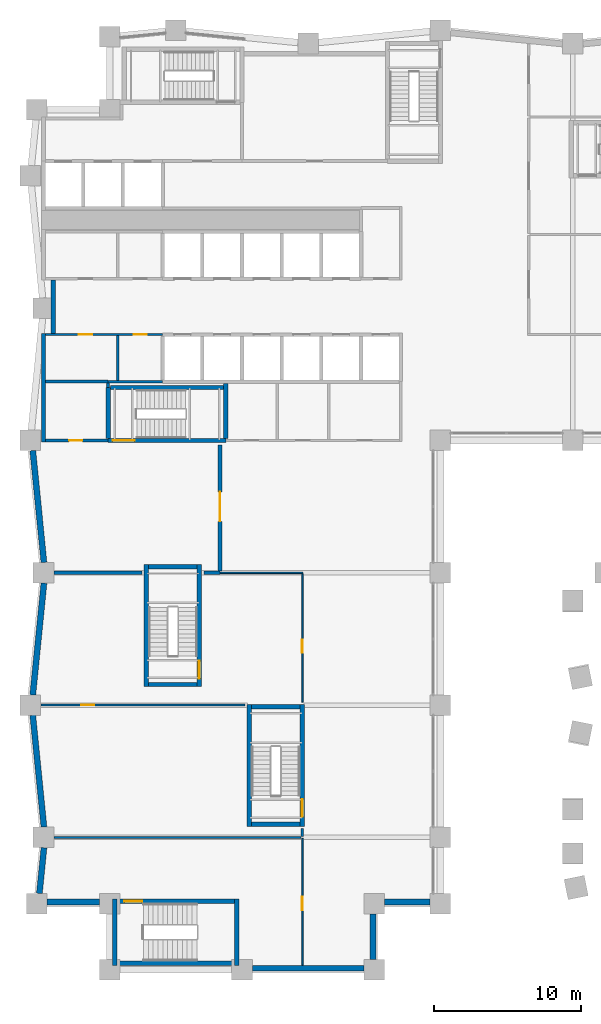
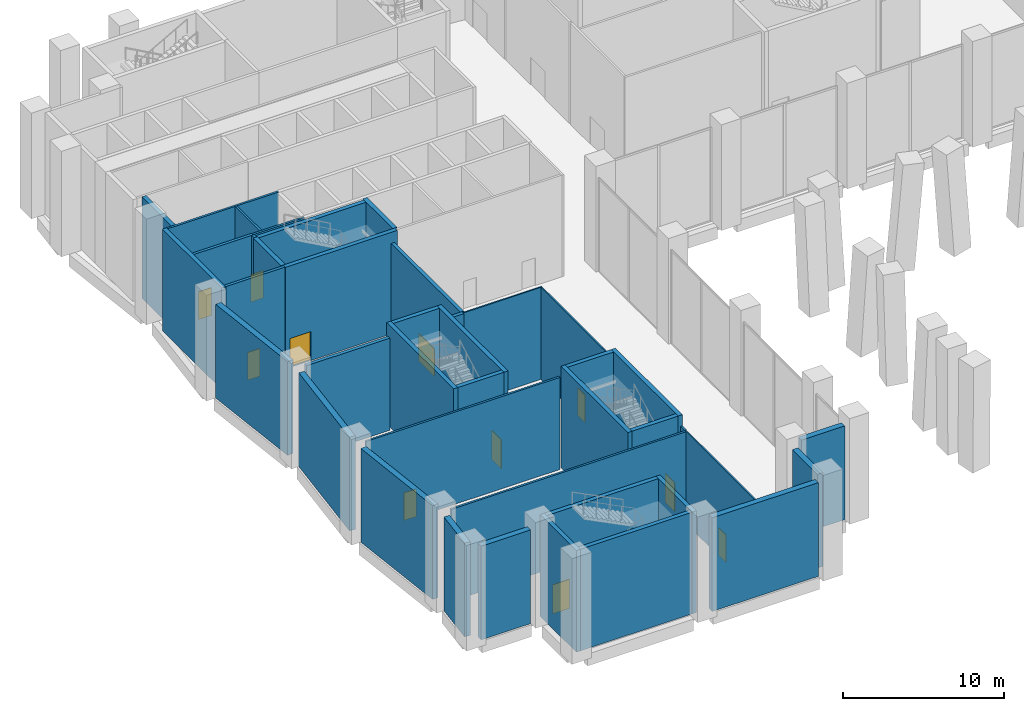
# One storey, part 10 of 19: 41 walls, 11 doors, 11 openings.
"""IFC4 building model written with IfcOpenShell, lengths in metres."""

from ifc_helpers import new_model, si_unit, direction, frame, frame_2d, origin, place, context, subcontext, project, spatial, rectangle, extrude, material, layer, layer_set, type_object, element, fill, save


model = new_model("IFC4")

# Units and contexts
model_context = context("Model", 3, precision=1e-05, world=origin(), true_north=direction((0.0, 1.0)))
body_context = subcontext(model_context, "Body", "Model", "MODEL_VIEW")
ifc_project = project(units=[si_unit("LENGTHUNIT", "METRE"), si_unit("AREAUNIT", "SQUARE_METRE"), si_unit("VOLUMEUNIT", "CUBIC_METRE"), si_unit("PLANEANGLEUNIT", "RADIAN"), si_unit("MASSUNIT", "GRAM", prefix="KILO")], contexts=[model_context])

# Site, building, storey
site_placement = place(None, origin())
site = spatial("IfcSite", under=ifc_project, at=site_placement, CompositionType="ELEMENT")
building_placement = place(site_placement, origin())
building = spatial("IfcBuilding", under=site, at=building_placement, Name="Brondeck Convention Tower", CompositionType="ELEMENT")
storey_placement = place(building_placement, frame((0.0, 0.0, 19.5)))
storey = spatial("IfcBuildingStorey", under=building, at=storey_placement, Name="L03", CompositionType="ELEMENT", Elevation=19.5)

# Walls
ifc_material_1 = material(Name="Concrete C80/95", Category="concrete")
ifc_layer_1 = layer(ifc_material_1, 0.300048828125)
ifc_layer_set_1 = layer_set([ifc_layer_1], Name="Core outer wall 300 Concrete C80/95")
wall_type_1 = type_object("IfcWallType", Name="Core outer wall 300 Concrete C80/95", PredefinedType="SHEAR", material=ifc_layer_set_1)
wall_1_placement = place(storey_placement, frame((0.0, 35.89990234375, 0.0), z_axis=(0.0, 0.0, 1.0), x_axis=(0.0, 1.0, 0.0)))
element("IfcWall", 1, at=wall_1_placement, inside=storey, type_object=wall_type_1, Name="L03 core wall", PredefinedType="SHEAR", context=body_context, shape_type="SweptSolid", body=[
    extrude(rectangle(XDim=7.375, YDim=0.300048828125, at=frame_2d((3.6875, 0.0))), origin(), (0.0, 0.0, 1.0), 7.699951171875),
])
wall_2_placement = place(storey_placement, frame((0.64990234375, 43.27490234375, 0.0), z_axis=(0.0, 0.0, 1.0), x_axis=(0.0, 1.0, 0.0)))
element("IfcWall", 2, at=wall_2_placement, inside=storey, type_object=wall_type_1, Name="L03 core wall", PredefinedType="SHEAR", context=body_context, shape_type="SweptSolid", body=[
    extrude(rectangle(XDim=3.650146484375, YDim=0.300048828125, at=frame_2d((1.8251953125, 0.0))), origin(), (0.0, 0.0, 1.0), 7.699951171875),
])
ifc_material_2 = material(Name="Fire-rated gypsum board partition")
ifc_layer_2 = layer(ifc_material_2, 0.14990234375)
ifc_layer_set_2 = layer_set([ifc_layer_2], Name="Core partition 150 EI 60")
wall_type_2 = type_object("IfcWallType", Name="Core partition 150 EI 60", PredefinedType="PARTITIONING", material=ifc_layer_set_2)
wall_3_placement = place(storey_placement, frame((4.39990234375, 40.0, 0.0), z_axis=(0.0, 0.0, 1.0), x_axis=(1.0, 0.0, 0.0)))
element("IfcWall", 3, at=wall_3_placement, inside=storey, type_object=wall_type_2, Name="L03 core wall", PredefinedType="PARTITIONING", context=body_context, shape_type="SweptSolid", body=[
    extrude(rectangle(XDim=3.7001953125, YDim=0.14990234375, at=frame_2d((1.85009765625, 0.0))), origin(), (0.0, 0.0, 1.0), 7.699951171875),
])

# Wall, openings, doors
wall_4_placement = place(storey_placement, frame((0.14990234375, 43.199951171875, 0.0), z_axis=(0.0, 0.0, 1.0), x_axis=(1.0, 0.0, 0.0)))
wall_4 = element("IfcWall", 4, at=wall_4_placement, inside=storey, type_object=wall_type_2, Name="L03 core wall", PredefinedType="PARTITIONING", context=body_context, shape_type="SweptSolid", body=[
    extrude(rectangle(XDim=7.9501953125, YDim=0.14990234375, at=frame_2d((3.97509765625, 0.0))), origin(), (0.0, 0.0, 1.0), 7.699951171875),
])
opening_1_placement = place(wall_4_placement, frame((2.25, 0.0, 0.0)))
opening_1 = element("IfcOpeningElement", 5, at=opening_1_placement, cuts=wall_4, Name="Opening C05-09", PredefinedType="OPENING", context=body_context, shape_type="SweptSolid", body=[
    extrude(rectangle(XDim=0.89990234375, YDim=2.10009765625, at=frame_2d((0.449951171875, 1.050048828125))), frame((0.0, 0.0849609375, 0.0), z_axis=(0.0, -1.0, 0.0), x_axis=(1.0, 0.0, 0.0)), (0.0, 0.0, 1.0), 0.169921875),
])
opening_2_placement = place(wall_4_placement, frame((5.97509765625, 0.0, 0.0)))
opening_2 = element("IfcOpeningElement", 6, at=opening_2_placement, cuts=wall_4, Name="Opening C05-10", PredefinedType="OPENING", context=body_context, shape_type="SweptSolid", body=[
    extrude(rectangle(XDim=0.89990234375, YDim=2.10009765625, at=frame_2d((0.449951171875, 1.050048828125))), frame((0.0, 0.0849609375, 0.0), z_axis=(0.0, -1.0, 0.0), x_axis=(1.0, 0.0, 0.0)), (0.0, 0.0, 1.0), 0.169921875),
])
ifc_material_3 = material(Name="Steel fire door", Category="steel")
door_type_1 = type_object("IfcDoorType", Name="Room door 900x2100 EI 60", OperationType="NOTDEFINED", PredefinedType="DOOR", material=ifc_material_3)
door_1_placement = place(opening_1_placement, origin())
door_1 = element("IfcDoor", 7, at=door_1_placement, inside=storey, type_object=door_type_1, Name="L03 Room door FZ-S-0-1", OperationType="SINGLE_SWING_LEFT", OverallHeight=2.10009765625, OverallWidth=0.89990234375, PredefinedType="DOOR", context=body_context, shape_type="SweptSolid", body=[
    extrude(rectangle(XDim=0.89990234375, YDim=2.10009765625, at=frame_2d((0.449951171875, 1.050048828125))), frame((0.0, 0.02490234375, 0.0), z_axis=(0.0, -1.0, 0.0), x_axis=(1.0, 0.0, 0.0)), (0.0, 0.0, 1.0), 0.050048828125),
])
fill(opening_1, door_1)
door_2_placement = place(opening_2_placement, origin())
door_2 = element("IfcDoor", 8, at=door_2_placement, inside=storey, type_object=door_type_1, Name="L03 Room door FZ-S-0-2", OperationType="SINGLE_SWING_RIGHT", OverallHeight=2.10009765625, OverallWidth=0.89990234375, PredefinedType="DOOR", context=body_context, shape_type="SweptSolid", body=[
    extrude(rectangle(XDim=0.89990234375, YDim=2.10009765625, at=frame_2d((0.449951171875, 1.050048828125))), frame((0.0, 0.02490234375, 0.0), z_axis=(0.0, -1.0, 0.0), x_axis=(1.0, 0.0, 0.0)), (0.0, 0.0, 1.0), 0.050048828125),
])
fill(opening_2, door_2)

# Walls
wall_5_placement = place(storey_placement, frame((5.050048828125, 40.074951171875, 0.0), z_axis=(0.0, 0.0, 1.0), x_axis=(0.0, 1.0, 0.0)))
element("IfcWall", 9, at=wall_5_placement, inside=storey, type_object=wall_type_2, Name="L03 core wall", PredefinedType="PARTITIONING", context=body_context, shape_type="SweptSolid", body=[
    extrude(rectangle(XDim=3.050048828125, YDim=0.14990234375, at=frame_2d((1.52490234375, 0.0))), origin(), (0.0, 0.0, 1.0), 7.699951171875),
])
ifc_material_4 = material(Name="Limestone", Category="masonry")
ifc_layer_3 = layer(ifc_material_4, 0.10009765625, Name="Limestone facing")
ifc_material_5 = material(Name="Mineral wool")
ifc_layer_4 = layer(ifc_material_5, 0.159912109375, Name="Insulation")
ifc_material_6 = material(Name="Concrete C35/45", Category="concrete")
ifc_layer_5 = layer(ifc_material_6, 0.139892578125, Name="Backing")
ifc_layer_set_3 = layer_set([ifc_layer_3, ifc_layer_4, ifc_layer_5], Name="External wall, limestone cladding")
wall_type_3 = type_object("IfcWallType", Name="External wall, limestone cladding", PredefinedType="SOLIDWALL", material=ifc_layer_set_3)
wall_6_placement = place(storey_placement, frame((21.800048828125, 0.10009765625, 0.0), z_axis=(0.0, 0.0, 1.0), x_axis=(-1.0, 0.0, 0.0)))
element("IfcWall", 10, at=wall_6_placement, inside=storey, type_object=wall_type_3, Name="ENV-EW-L03-BASE-B-S-04", PredefinedType="SOLIDWALL", context=body_context, shape_type="SweptSolid", body=[
    extrude(rectangle(XDim=7.60009765625, YDim=0.39990234375, at=frame_2d((3.800048828125, 0.0))), origin(), (0.0, 0.0, 1.0), 7.10009765625),
])
for number, where, z_axis, x_axis, name in (
    (11, (22.39990234375, 3.800048828125, 0.0), (0.0, 0.0, 1.0), (0.0, -1.0, 0.0), "ENV-EW-L03-BASE-NC-SEB-01"),
    (12, (26.300048828125, 4.60009765625, 0.0), (0.0, 0.0, 1.0), (-1.0, 0.0, 0.0), "ENV-EW-L03-BASE-NC-SEB-02"),
):
    element("IfcWall", number, at=place(storey_placement, frame(where, z_axis=z_axis, x_axis=x_axis)), inside=storey, type_object=wall_type_3, Name=name, PredefinedType="SOLIDWALL", context=body_context, shape_type="SweptSolid", body=[
        extrude(rectangle(XDim=3.10009765625, YDim=0.39990234375, at=frame_2d((1.550048828125, 0.0))), origin(), (0.0, 0.0, 1.0), 7.10009765625),
    ])
for number, where, z_axis, x_axis, name in (
    (13, (0.02978515625, 27.70654296875, 0.0), (0.0, 0.0, 1.0), (-0.099478423711, 0.995039719416, 0.0), "ENV-EW-L03-BASE-B-W-07"),
    (14, (-0.730712890625, 18.6865234375, 0.0), (0.0, 0.0, 1.0), (0.099478423711, 0.995039719416, 0.0), "ENV-EW-L03-BASE-B-W-09"),
    (15, (0.02978515625, 9.70654296875, 0.0), (0.0, 0.0, 1.0), (-0.099478423711, 0.995039719416, 0.0), "ENV-EW-L03-BASE-B-W-11"),
):
    element("IfcWall", number, at=place(storey_placement, frame(where, z_axis=z_axis, x_axis=x_axis)), inside=storey, type_object=wall_type_3, Name=name, PredefinedType="SOLIDWALL", context=body_context, shape_type="SweptSolid", body=[
        extrude(rectangle(XDim=7.644775390625, YDim=0.39990234375, at=frame_2d((3.822265625, 0.0))), origin(), (0.0, 0.0, 1.0), 7.10009765625),
    ])
wall_7_placement = place(storey_placement, frame((-0.28076171875, 5.1865234375, 0.0), z_axis=(0.0, 0.0, 1.0), x_axis=(0.099457269599, 0.995041834057, 0.0)))
element("IfcWall", 16, at=wall_7_placement, inside=storey, type_object=wall_type_3, Name="ENV-EW-L03-BASE-B-W-12", PredefinedType="SOLIDWALL", context=body_context, shape_type="SweptSolid", body=[
    extrude(rectangle(XDim=3.122314453125, YDim=0.39990234375, at=frame_2d((1.56103515625, 0.0))), origin(), (0.0, 0.0, 1.0), 7.10009765625),
])
wall_8_placement = place(storey_placement, frame((3.800048828125, 4.60009765625, 0.0), z_axis=(0.0, 0.0, 1.0), x_axis=(-1.0, 0.0, 0.0)))
element("IfcWall", 17, at=wall_8_placement, inside=storey, type_object=wall_type_3, Name="ENV-EW-L03-BASE-NC-SWB-01", PredefinedType="SOLIDWALL", context=body_context, shape_type="SweptSolid", body=[
    extrude(rectangle(XDim=3.550048828125, YDim=0.39990234375, at=frame_2d((1.77490234375, 0.0))), origin(), (0.0, 0.0, 1.0), 7.10009765625),
])
ifc_material_7 = material(Name="Reinforced masonry fire wall", Category="masonry")
ifc_layer_6 = layer(ifc_material_7, 0.25)
ifc_layer_set_4 = layer_set([ifc_layer_6], Name="Fire wall 250")
wall_type_4 = type_object("IfcWallType", Name="Fire wall 250", PredefinedType="PARTITIONING", material=ifc_layer_set_4)
wall_9_placement = place(storey_placement, frame((0.719970703125, 27.0, 0.0), z_axis=(0.0, 0.0, 1.0), x_axis=(1.0, 0.0, 0.0)))
element("IfcWall", 18, at=wall_9_placement, inside=storey, type_object=wall_type_4, Name="FLR-L03-W006", PredefinedType="PARTITIONING", context=body_context, shape_type="SweptSolid", body=[
    extrude(rectangle(XDim=5.97998046875, YDim=0.25, at=frame_2d((2.989990234375, 0.0))), origin(), (0.0, 0.0, 1.0), 6.97998046875),
])
wall_10_placement = place(storey_placement, frame((10.89990234375, 27.0, 0.0), z_axis=(0.0, 0.0, 1.0), x_axis=(1.0, 0.0, 0.0)))
element("IfcWall", 19, at=wall_10_placement, inside=storey, type_object=wall_type_4, Name="FLR-L03-W007", PredefinedType="PARTITIONING", context=body_context, shape_type="SweptSolid", body=[
    extrude(rectangle(XDim=1.10009765625, YDim=0.25, at=frame_2d((0.550048828125, 0.0))), origin(), (0.0, 0.0, 1.0), 6.97998046875),
])

# Wall, opening, door
wall_11_placement = place(storey_placement, frame((12.0, 27.125, 0.0), z_axis=(0.0, 0.0, 1.0), x_axis=(0.0, 1.0, 0.0)))
wall_11 = element("IfcWall", 20, at=wall_11_placement, inside=storey, type_object=wall_type_4, Name="FLR-L03-W009", PredefinedType="PARTITIONING", context=body_context, shape_type="SweptSolid", body=[
    extrude(rectangle(XDim=8.574951171875, YDim=0.25, at=frame_2d((4.28759765625, 0.0))), origin(), (0.0, 0.0, 1.0), 6.97998046875),
])
opening_3_placement = place(wall_11_placement, frame((3.375, 0.0, 0.0)))
opening_3 = element("IfcOpeningElement", 21, at=opening_3_placement, cuts=wall_11, Name="Opening P-L03-009", PredefinedType="OPENING", context=body_context, shape_type="SweptSolid", body=[
    extrude(rectangle(XDim=2.0, YDim=2.10009765625, at=frame_2d((1.0, 1.050048828125))), frame((0.0, 0.135009765625, 0.0), z_axis=(0.0, -1.0, 0.0), x_axis=(1.0, 0.0, 0.0)), (0.0, 0.0, 1.0), 0.27001953125),
])
ifc_material_8 = material(Name="Timber fire door pair", Category="wood")
door_type_2 = type_object("IfcDoorType", Name="Assembly hall door pair 2000", OperationType="DOUBLE_DOOR_SINGLE_SWING", PredefinedType="DOOR", material=ifc_material_8)
door_3_placement = place(opening_3_placement, origin())
door_3 = element("IfcDoor", 22, at=door_3_placement, inside=storey, type_object=door_type_2, Name="Door P-L03-009", OperationType="DOUBLE_DOOR_SINGLE_SWING", OverallHeight=2.10009765625, OverallWidth=2.0, PredefinedType="DOOR", context=body_context, shape_type="SweptSolid", body=[
    extrude(rectangle(XDim=2.0, YDim=2.10009765625, at=frame_2d((1.0, 1.050048828125))), frame((0.0, 0.02490234375, 0.0), z_axis=(0.0, -1.0, 0.0), x_axis=(1.0, 0.0, 0.0)), (0.0, 0.0, 1.0), 0.050048828125),
])
fill(opening_3, door_3)

# Walls
ifc_material_9 = material(Name="Double gypsum board acoustic wall")
ifc_layer_7 = layer(ifc_material_9, 0.14990234375)
ifc_layer_set_5 = layer_set([ifc_layer_7], Name="Guest room party wall 150")
wall_type_5 = type_object("IfcWallType", Name="Guest room party wall 150", PredefinedType="PARTITIONING", material=ifc_layer_set_5)
wall_12_placement = place(storey_placement, frame((0.719970703125, 9.0, 0.0), z_axis=(0.0, 0.0, 1.0), x_axis=(1.0, 0.0, 0.0)))
element("IfcWall", 23, at=wall_12_placement, inside=storey, type_object=wall_type_5, Name="FLR-L03-W002", PredefinedType="PARTITIONING", context=body_context, shape_type="SweptSolid", body=[
    extrude(rectangle(XDim=16.804931640625, YDim=0.14990234375, at=frame_2d((8.40234375, 0.0))), origin(), (0.0, 0.0, 1.0), 6.97998046875),
])
wall_13_placement = place(storey_placement, frame((17.60009765625, 9.074951171875, 0.0), z_axis=(0.0, 0.0, 1.0), x_axis=(0.0, 1.0, 0.0)))
element("IfcWall", 24, at=wall_13_placement, inside=storey, type_object=wall_type_5, Name="FLR-L03-W003", PredefinedType="PARTITIONING", context=body_context, shape_type="SweptSolid", body=[
    extrude(rectangle(XDim=0.525146484375, YDim=0.14990234375, at=frame_2d((0.2626953125, 0.0))), origin(), (0.0, 0.0, 1.0), 6.97998046875),
])

# Wall, opening, door
wall_14_placement = place(storey_placement, frame((13.699951171875, 18.0, 0.0), z_axis=(0.0, 0.0, 1.0), x_axis=(-1.0, 0.0, 0.0)))
wall_14 = element("IfcWall", 25, at=wall_14_placement, inside=storey, type_object=wall_type_5, Name="FLR-L03-W004", PredefinedType="PARTITIONING", context=body_context, shape_type="SweptSolid", body=[
    extrude(rectangle(XDim=13.8798828125, YDim=0.14990234375, at=frame_2d((6.93994140625, 0.0))), origin(), (0.0, 0.0, 1.0), 6.97998046875),
])
opening_4_placement = place(wall_14_placement, frame((10.25, 0.0, 0.0)))
opening_4 = element("IfcOpeningElement", 26, at=opening_4_placement, cuts=wall_14, Name="Opening P-L03-012", PredefinedType="OPENING", context=body_context, shape_type="SweptSolid", body=[
    extrude(rectangle(XDim=0.89990234375, YDim=2.10009765625, at=frame_2d((0.449951171875, 1.050048828125))), frame((0.0, 0.0849609375, 0.0), z_axis=(0.0, -1.0, 0.0), x_axis=(1.0, 0.0, 0.0)), (0.0, 0.0, 1.0), 0.169921875),
])
ifc_material_10 = material(Name="Solid timber door leaf", Category="wood")
door_type_3 = type_object("IfcDoorType", Name="Single door 900", OperationType="NOTDEFINED", PredefinedType="DOOR", material=ifc_material_10)
door_4_placement = place(opening_4_placement, origin())
door_4 = element("IfcDoor", 27, at=door_4_placement, inside=storey, type_object=door_type_3, Name="Door P-L03-012", OperationType="SINGLE_SWING_RIGHT", OverallHeight=2.10009765625, OverallWidth=0.89990234375, PredefinedType="DOOR", context=body_context, shape_type="SweptSolid", body=[
    extrude(rectangle(XDim=0.89990234375, YDim=2.10009765625, at=frame_2d((0.449951171875, 1.050048828125))), frame((0.0, 0.02490234375, 0.0), z_axis=(0.0, -1.0, 0.0), x_axis=(1.0, 0.0, 0.0)), (0.0, 0.0, 1.0), 0.050048828125),
])
fill(opening_4, door_4)

ifc_layer_8 = layer(ifc_material_2, 0.199951171875)
ifc_layer_set_6 = layer_set([ifc_layer_8], Name="Riser wall 200 EI 120")
wall_type_6 = type_object("IfcWallType", Name="Riser wall 200 EI 120", PredefinedType="PARTITIONING", material=ifc_layer_set_6)
wall_15_placement = place(storey_placement, frame((0.14990234375, 36.0, 0.0), z_axis=(0.0, 0.0, 1.0), x_axis=(1.0, 0.0, 0.0)))
wall_15 = element("IfcWall", 28, at=wall_15_placement, inside=storey, type_object=wall_type_6, Name="L03 core wall", PredefinedType="PARTITIONING", context=body_context, shape_type="SweptSolid", body=[
    extrude(rectangle(XDim=4.25, YDim=0.199951171875, at=frame_2d((2.125, 0.0))), origin(), (0.0, 0.0, 1.0), 7.699951171875),
])
opening_5_placement = place(wall_15_placement, frame((1.60009765625, 0.0, 0.0)))
opening_5 = element("IfcOpeningElement", 29, at=opening_5_placement, cuts=wall_15, Name="Opening C05-06", PredefinedType="OPENING", context=body_context, shape_type="SweptSolid", body=[
    extrude(rectangle(XDim=0.89990234375, YDim=2.10009765625, at=frame_2d((0.449951171875, 1.050048828125))), frame((0.0, 0.10986328125, 0.0), z_axis=(0.0, -1.0, 0.0), x_axis=(1.0, 0.0, 0.0)), (0.0, 0.0, 1.0), 0.219970703125),
])
door_type_4 = type_object("IfcDoorType", Name="Riser door 900x2100 EI 120", OperationType="NOTDEFINED", PredefinedType="DOOR", material=ifc_material_3)
door_5_placement = place(opening_5_placement, origin())
door_5 = element("IfcDoor", 30, at=door_5_placement, inside=storey, type_object=door_type_4, Name="L03 Riser door FRW-1", OperationType="SINGLE_SWING_LEFT", OverallHeight=2.10009765625, OverallWidth=0.89990234375, PredefinedType="DOOR", context=body_context, shape_type="SweptSolid", body=[
    extrude(rectangle(XDim=0.89990234375, YDim=2.10009765625, at=frame_2d((0.449951171875, 1.050048828125))), frame((0.0, 0.02490234375, 0.0), z_axis=(0.0, -1.0, 0.0), x_axis=(1.0, 0.0, 0.0)), (0.0, 0.0, 1.0), 0.050048828125),
])
fill(opening_5, door_5)

# Walls
wall_16_placement = place(storey_placement, frame((0.14990234375, 40.0, 0.0), z_axis=(0.0, 0.0, 1.0), x_axis=(1.0, 0.0, 0.0)))
element("IfcWall", 31, at=wall_16_placement, inside=storey, type_object=wall_type_6, Name="L03 core wall", PredefinedType="PARTITIONING", context=body_context, shape_type="SweptSolid", body=[
    extrude(rectangle(XDim=4.25, YDim=0.199951171875, at=frame_2d((2.125, 0.0))), origin(), (0.0, 0.0, 1.0), 7.699951171875),
])
wall_17_placement = place(storey_placement, frame((4.39990234375, 39.60009765625, 0.0), z_axis=(0.0, 0.0, 1.0), x_axis=(0.0, 1.0, 0.0)))
element("IfcWall", 32, at=wall_17_placement, inside=storey, type_object=wall_type_6, Name="L03 core wall", PredefinedType="PARTITIONING", context=body_context, shape_type="SweptSolid", body=[
    extrude(rectangle(XDim=0.2998046875, YDim=0.199951171875, at=frame_2d((0.14990234375, 0.0))), origin(), (0.0, 0.0, 1.0), 7.699951171875),
])

# Wall, opening, door
ifc_material_11 = material(Name="Gypsum board partition on steel studs", Category="steel")
ifc_layer_9 = layer(ifc_material_11, 0.10009765625)
ifc_layer_set_7 = layer_set([ifc_layer_9], Name="Room partition 100")
wall_type_7 = type_object("IfcWallType", Name="Room partition 100", PredefinedType="PARTITIONING", material=ifc_layer_set_7)
wall_18_placement = place(storey_placement, frame((17.60009765625, 0.320068359375, 0.0), z_axis=(0.0, 0.0, 1.0), x_axis=(0.0, 1.0, 0.0)))
wall_18 = element("IfcWall", 33, at=wall_18_placement, inside=storey, type_object=wall_type_7, Name="FLR-L03-W001", PredefinedType="PARTITIONING", context=body_context, shape_type="SweptSolid", body=[
    extrude(rectangle(XDim=8.60498046875, YDim=0.10009765625, at=frame_2d((4.302490234375, 0.0))), origin(), (0.0, 0.0, 1.0), 6.97998046875),
])
opening_6_placement = place(wall_18_placement, frame((3.72998046875, 0.0, 0.0)))
opening_6 = element("IfcOpeningElement", 34, at=opening_6_placement, cuts=wall_18, Name="Opening P-L03-010", PredefinedType="OPENING", context=body_context, shape_type="SweptSolid", body=[
    extrude(rectangle(XDim=0.89990234375, YDim=2.10009765625, at=frame_2d((0.449951171875, 1.050048828125))), frame((0.0, 0.06005859375, 0.0), z_axis=(0.0, -1.0, 0.0), x_axis=(1.0, 0.0, 0.0)), (0.0, 0.0, 1.0), 0.1201171875),
])
door_6_placement = place(opening_6_placement, origin())
door_6 = element("IfcDoor", 35, at=door_6_placement, inside=storey, type_object=door_type_3, Name="Door P-L03-010", OperationType="SINGLE_SWING_LEFT", OverallHeight=2.10009765625, OverallWidth=0.89990234375, PredefinedType="DOOR", context=body_context, shape_type="SweptSolid", body=[
    extrude(rectangle(XDim=0.89990234375, YDim=2.10009765625, at=frame_2d((0.449951171875, 1.050048828125))), frame((0.0, 0.02490234375, 0.0), z_axis=(0.0, -1.0, 0.0), x_axis=(1.0, 0.0, 0.0)), (0.0, 0.0, 1.0), 0.050048828125),
])
fill(opening_6, door_6)

wall_19_placement = place(storey_placement, frame((17.60009765625, 18.199951171875, 0.0), z_axis=(0.0, 0.0, 1.0), x_axis=(0.0, 1.0, 0.0)))
wall_19 = element("IfcWall", 36, at=wall_19_placement, inside=storey, type_object=wall_type_7, Name="FLR-L03-W005", PredefinedType="PARTITIONING", context=body_context, shape_type="SweptSolid", body=[
    extrude(rectangle(XDim=8.75, YDim=0.10009765625, at=frame_2d((4.375, 0.0))), origin(), (0.0, 0.0, 1.0), 6.97998046875),
])
opening_7_placement = place(wall_19_placement, frame((3.35009765625, 0.0, 0.0)))
opening_7 = element("IfcOpeningElement", 37, at=opening_7_placement, cuts=wall_19, Name="Opening P-L03-011", PredefinedType="OPENING", context=body_context, shape_type="SweptSolid", body=[
    extrude(rectangle(XDim=0.89990234375, YDim=2.10009765625, at=frame_2d((0.449951171875, 1.050048828125))), frame((0.0, 0.06005859375, 0.0), z_axis=(0.0, -1.0, 0.0), x_axis=(1.0, 0.0, 0.0)), (0.0, 0.0, 1.0), 0.1201171875),
])
door_7_placement = place(opening_7_placement, origin())
door_7 = element("IfcDoor", 38, at=door_7_placement, inside=storey, type_object=door_type_3, Name="Door P-L03-011", OperationType="SINGLE_SWING_LEFT", OverallHeight=2.10009765625, OverallWidth=0.89990234375, PredefinedType="DOOR", context=body_context, shape_type="SweptSolid", body=[
    extrude(rectangle(XDim=0.89990234375, YDim=2.10009765625, at=frame_2d((0.449951171875, 1.050048828125))), frame((0.0, 0.02490234375, 0.0), z_axis=(0.0, -1.0, 0.0), x_axis=(1.0, 0.0, 0.0)), (0.0, 0.0, 1.0), 0.050048828125),
])
fill(opening_7, door_7)

# Walls
wall_20_placement = place(storey_placement, frame((17.64990234375, 27.0, 0.0), z_axis=(0.0, 0.0, 1.0), x_axis=(-1.0, 0.0, 0.0)))
element("IfcWall", 39, at=wall_20_placement, inside=storey, type_object=wall_type_7, Name="FLR-L03-W008", PredefinedType="PARTITIONING", context=body_context, shape_type="SweptSolid", body=[
    extrude(rectangle(XDim=5.64990234375, YDim=0.10009765625, at=frame_2d((2.824951171875, 0.0))), origin(), (0.0, 0.0, 1.0), 6.97998046875),
])
ifc_layer_10 = layer(ifc_material_1, 0.300048828125)
ifc_layer_set_8 = layer_set([ifc_layer_10], Name="Stair enclosure wall 300 Concrete C80/95")
wall_type_8 = type_object("IfcWallType", Name="Stair enclosure wall 300 Concrete C80/95", PredefinedType="SHEAR", material=ifc_layer_set_8)
wall_21_placement = place(storey_placement, frame((5.0, 0.449951171875, 0.0), z_axis=(0.0, 0.0, 1.0), x_axis=(1.0, 0.0, 0.0)))
element("IfcWall", 40, at=wall_21_placement, inside=storey, type_object=wall_type_8, Name="L03 core wall", PredefinedType="SHEAR", context=body_context, shape_type="SweptSolid", body=[
    extrude(rectangle(XDim=8.0, YDim=0.300048828125, at=frame_2d((4.0, 0.0))), origin(), (0.0, 0.0, 1.0), 7.699951171875),
])

# Wall, opening, door
wall_22_placement = place(storey_placement, frame((5.0, 4.64990234375, 0.0), z_axis=(0.0, 0.0, 1.0), x_axis=(1.0, 0.0, 0.0)))
wall_22 = element("IfcWall", 41, at=wall_22_placement, inside=storey, type_object=wall_type_8, Name="L03 core wall", PredefinedType="SHEAR", context=body_context, shape_type="SweptSolid", body=[
    extrude(rectangle(XDim=8.0, YDim=0.300048828125, at=frame_2d((4.0, 0.0))), origin(), (0.0, 0.0, 1.0), 7.699951171875),
])
opening_8_placement = place(wall_22_placement, frame((0.5, 0.0, 0.0)))
opening_8 = element("IfcOpeningElement", 42, at=opening_8_placement, cuts=wall_22, Name="Opening C05-13", PredefinedType="OPENING", context=body_context, shape_type="SweptSolid", body=[
    extrude(rectangle(XDim=1.199951171875, YDim=2.199951171875, at=frame_2d((0.60009765625, 1.10009765625))), frame((0.0, 0.159912109375, 0.0), z_axis=(0.0, -1.0, 0.0), x_axis=(1.0, 0.0, 0.0)), (0.0, 0.0, 1.0), 0.320068359375),
])
door_type_5 = type_object("IfcDoorType", Name="Stair door 1200x2200 EI 90", OperationType="NOTDEFINED", PredefinedType="DOOR", material=ifc_material_3)
door_8_placement = place(opening_8_placement, origin())
door_8 = element("IfcDoor", 43, at=door_8_placement, inside=storey, type_object=door_type_5, Name="L03 Stair door PS-2", OperationType="SINGLE_SWING_LEFT", OverallHeight=2.199951171875, OverallWidth=1.199951171875, PredefinedType="DOOR", context=body_context, shape_type="SweptSolid", body=[
    extrude(rectangle(XDim=1.199951171875, YDim=2.199951171875, at=frame_2d((0.60009765625, 1.10009765625))), frame((0.0, 0.02490234375, 0.0), z_axis=(0.0, -1.0, 0.0), x_axis=(1.0, 0.0, 0.0)), (0.0, 0.0, 1.0), 0.050048828125),
])
fill(opening_8, door_8)

# Walls
for number, where, z_axis, x_axis, name in (
    (44, (14.14990234375, 9.89990234375, 0.0), (0.0, 0.0, 1.0), (1.0, 0.0, 0.0), "L03 core wall"),
    (45, (14.14990234375, 17.89990234375, 0.0), (0.0, 0.0, 1.0), (1.0, 0.0, 0.0), "L03 core wall"),
    (46, (7.14990234375, 19.39990234375, 0.0), (0.0, 0.0, 1.0), (1.0, 0.0, 0.0), "L03 core wall"),
    (47, (7.14990234375, 27.39990234375, 0.0), (0.0, 0.0, 1.0), (1.0, 0.0, 0.0), "L03 core wall"),
):
    element("IfcWall", number, at=place(storey_placement, frame(where, z_axis=z_axis, x_axis=x_axis)), inside=storey, type_object=wall_type_8, Name=name, PredefinedType="SHEAR", context=body_context, shape_type="SweptSolid", body=[
        extrude(rectangle(XDim=3.300048828125, YDim=0.300048828125, at=frame_2d((1.64990234375, 0.0))), origin(), (0.0, 0.0, 1.0), 7.699951171875),
    ])

# Wall, opening, door
wall_23_placement = place(storey_placement, frame((4.39990234375, 36.0, 0.0), z_axis=(0.0, 0.0, 1.0), x_axis=(1.0, 0.0, 0.0)))
wall_23 = element("IfcWall", 48, at=wall_23_placement, inside=storey, type_object=wall_type_8, Name="L03 core wall", PredefinedType="SHEAR", context=body_context, shape_type="SweptSolid", body=[
    extrude(rectangle(XDim=8.0, YDim=0.300048828125, at=frame_2d((4.0, 0.0))), origin(), (0.0, 0.0, 1.0), 7.699951171875),
])
opening_9_placement = place(wall_23_placement, frame((0.300048828125, 0.0, 0.0)))
opening_9 = element("IfcOpeningElement", 49, at=opening_9_placement, cuts=wall_23, Name="Opening C05-14", PredefinedType="OPENING", context=body_context, shape_type="SweptSolid", body=[
    extrude(rectangle(XDim=1.5, YDim=2.199951171875, at=frame_2d((0.75, 1.10009765625))), frame((0.0, 0.159912109375, 0.0), z_axis=(0.0, -1.0, 0.0), x_axis=(1.0, 0.0, 0.0)), (0.0, 0.0, 1.0), 0.320068359375),
])
door_type_6 = type_object("IfcDoorType", Name="Stair door 1500x2200 EI 90", OperationType="NOTDEFINED", PredefinedType="DOOR", material=ifc_material_3)
door_9_placement = place(opening_9_placement, origin())
door_9 = element("IfcDoor", 50, at=door_9_placement, inside=storey, type_object=door_type_6, Name="L03 Stair door ST-1", OperationType="SINGLE_SWING_RIGHT", OverallHeight=2.199951171875, OverallWidth=1.5, PredefinedType="DOOR", context=body_context, shape_type="SweptSolid", body=[
    extrude(rectangle(XDim=1.5, YDim=2.199951171875, at=frame_2d((0.75, 1.10009765625))), frame((0.0, 0.02490234375, 0.0), z_axis=(0.0, -1.0, 0.0), x_axis=(1.0, 0.0, 0.0)), (0.0, 0.0, 1.0), 0.050048828125),
])
fill(opening_9, door_9)

# Walls
wall_24_placement = place(storey_placement, frame((4.550048828125, 39.60009765625, 0.0), z_axis=(0.0, 0.0, 1.0), x_axis=(1.0, 0.0, 0.0)))
element("IfcWall", 51, at=wall_24_placement, inside=storey, type_object=wall_type_8, Name="L03 core wall", PredefinedType="SHEAR", context=body_context, shape_type="SweptSolid", body=[
    extrude(rectangle(XDim=7.699951171875, YDim=0.300048828125, at=frame_2d((3.85009765625, 0.0))), origin(), (0.0, 0.0, 1.0), 7.699951171875),
])
wall_25_placement = place(storey_placement, frame((4.39990234375, 36.14990234375, 0.0), z_axis=(0.0, 0.0, 1.0), x_axis=(0.0, 1.0, 0.0)))
element("IfcWall", 52, at=wall_25_placement, inside=storey, type_object=wall_type_8, Name="L03 core wall", PredefinedType="SHEAR", context=body_context, shape_type="SweptSolid", body=[
    extrude(rectangle(XDim=3.4501953125, YDim=0.300048828125, at=frame_2d((1.72509765625, 0.0))), origin(), (0.0, 0.0, 1.0), 7.699951171875),
])
wall_26_placement = place(storey_placement, frame((4.85009765625, 0.300048828125, 0.0), z_axis=(0.0, 0.0, 1.0), x_axis=(0.0, 1.0, 0.0)))
element("IfcWall", 53, at=wall_26_placement, inside=storey, type_object=wall_type_8, Name="L03 core wall", PredefinedType="SHEAR", context=body_context, shape_type="SweptSolid", body=[
    extrude(rectangle(XDim=4.5, YDim=0.300048828125, at=frame_2d((2.25, 0.0))), origin(), (0.0, 0.0, 1.0), 7.699951171875),
])
wall_27_placement = place(storey_placement, frame((7.0, 19.25, 0.0), z_axis=(0.0, 0.0, 1.0), x_axis=(0.0, 1.0, 0.0)))
element("IfcWall", 54, at=wall_27_placement, inside=storey, type_object=wall_type_8, Name="L03 core wall", PredefinedType="SHEAR", context=body_context, shape_type="SweptSolid", body=[
    extrude(rectangle(XDim=8.300048828125, YDim=0.300048828125, at=frame_2d((4.14990234375, 0.0))), origin(), (0.0, 0.0, 1.0), 7.699951171875),
])

# Wall, opening, door
wall_28_placement = place(storey_placement, frame((10.60009765625, 19.25, 0.0), z_axis=(0.0, 0.0, 1.0), x_axis=(0.0, 1.0, 0.0)))
wall_28 = element("IfcWall", 55, at=wall_28_placement, inside=storey, type_object=wall_type_8, Name="L03 core wall", PredefinedType="SHEAR", context=body_context, shape_type="SweptSolid", body=[
    extrude(rectangle(XDim=8.300048828125, YDim=0.300048828125, at=frame_2d((4.14990234375, 0.0))), origin(), (0.0, 0.0, 1.0), 7.699951171875),
])
opening_10_placement = place(wall_28_placement, frame((0.550048828125, 0.0, 0.0)))
opening_10 = element("IfcOpeningElement", 56, at=opening_10_placement, cuts=wall_28, Name="Opening C05-19", PredefinedType="OPENING", context=body_context, shape_type="SweptSolid", body=[
    extrude(rectangle(XDim=1.199951171875, YDim=2.199951171875, at=frame_2d((0.60009765625, 1.10009765625))), frame((0.0, 0.159912109375, 0.0), z_axis=(0.0, -1.0, 0.0), x_axis=(1.0, 0.0, 0.0)), (0.0, 0.0, 1.0), 0.320068359375),
])
door_10_placement = place(opening_10_placement, origin())
door_10 = element("IfcDoor", 57, at=door_10_placement, inside=storey, type_object=door_type_5, Name="L03 Stair door ST-BE", OperationType="SINGLE_SWING_RIGHT", OverallHeight=2.199951171875, OverallWidth=1.199951171875, PredefinedType="DOOR", context=body_context, shape_type="SweptSolid", body=[
    extrude(rectangle(XDim=1.199951171875, YDim=2.199951171875, at=frame_2d((0.60009765625, 1.10009765625))), frame((0.0, 0.02490234375, 0.0), z_axis=(0.0, -1.0, 0.0), x_axis=(1.0, 0.0, 0.0)), (0.0, 0.0, 1.0), 0.050048828125),
])
fill(opening_10, door_10)

# Walls
wall_29_placement = place(storey_placement, frame((12.39990234375, 36.14990234375, 0.0), z_axis=(0.0, 0.0, 1.0), x_axis=(0.0, 1.0, 0.0)))
element("IfcWall", 58, at=wall_29_placement, inside=storey, type_object=wall_type_8, Name="L03 core wall", PredefinedType="SHEAR", context=body_context, shape_type="SweptSolid", body=[
    extrude(rectangle(XDim=3.72509765625, YDim=0.300048828125, at=frame_2d((1.862548828125, 0.0))), origin(), (0.0, 0.0, 1.0), 7.699951171875),
])
wall_30_placement = place(storey_placement, frame((13.14990234375, 0.300048828125, 0.0), z_axis=(0.0, 0.0, 1.0), x_axis=(0.0, 1.0, 0.0)))
element("IfcWall", 59, at=wall_30_placement, inside=storey, type_object=wall_type_8, Name="L03 core wall", PredefinedType="SHEAR", context=body_context, shape_type="SweptSolid", body=[
    extrude(rectangle(XDim=4.5, YDim=0.300048828125, at=frame_2d((2.25, 0.0))), origin(), (0.0, 0.0, 1.0), 7.699951171875),
])
wall_31_placement = place(storey_placement, frame((14.0, 9.75, 0.0), z_axis=(0.0, 0.0, 1.0), x_axis=(0.0, 1.0, 0.0)))
element("IfcWall", 60, at=wall_31_placement, inside=storey, type_object=wall_type_8, Name="L03 core wall", PredefinedType="SHEAR", context=body_context, shape_type="SweptSolid", body=[
    extrude(rectangle(XDim=8.300048828125, YDim=0.300048828125, at=frame_2d((4.14990234375, 0.0))), origin(), (0.0, 0.0, 1.0), 7.699951171875),
])

# Wall, opening, door
wall_32_placement = place(storey_placement, frame((17.60009765625, 9.75, 0.0), z_axis=(0.0, 0.0, 1.0), x_axis=(0.0, 1.0, 0.0)))
wall_32 = element("IfcWall", 61, at=wall_32_placement, inside=storey, type_object=wall_type_8, Name="L03 core wall", PredefinedType="SHEAR", context=body_context, shape_type="SweptSolid", body=[
    extrude(rectangle(XDim=8.300048828125, YDim=0.300048828125, at=frame_2d((4.14990234375, 0.0))), origin(), (0.0, 0.0, 1.0), 7.699951171875),
])
opening_11_placement = place(wall_32_placement, frame((0.64990234375, 0.0, 0.0)))
opening_11 = element("IfcOpeningElement", 62, at=opening_11_placement, cuts=wall_32, Name="Opening C05-20", PredefinedType="OPENING", context=body_context, shape_type="SweptSolid", body=[
    extrude(rectangle(XDim=1.199951171875, YDim=2.199951171875, at=frame_2d((0.60009765625, 1.10009765625))), frame((0.0, 0.159912109375, 0.0), z_axis=(0.0, -1.0, 0.0), x_axis=(1.0, 0.0, 0.0)), (0.0, 0.0, 1.0), 0.320068359375),
])
door_11_placement = place(opening_11_placement, origin())
door_11 = element("IfcDoor", 63, at=door_11_placement, inside=storey, type_object=door_type_5, Name="L03 Stair door ST-BF", OperationType="SINGLE_SWING_LEFT", OverallHeight=2.199951171875, OverallWidth=1.199951171875, PredefinedType="DOOR", context=body_context, shape_type="SweptSolid", body=[
    extrude(rectangle(XDim=1.199951171875, YDim=2.199951171875, at=frame_2d((0.60009765625, 1.10009765625))), frame((0.0, 0.02490234375, 0.0), z_axis=(0.0, -1.0, 0.0), x_axis=(1.0, 0.0, 0.0)), (0.0, 0.0, 1.0), 0.050048828125),
])
fill(opening_11, door_11)

save(model, "model.ifc")
